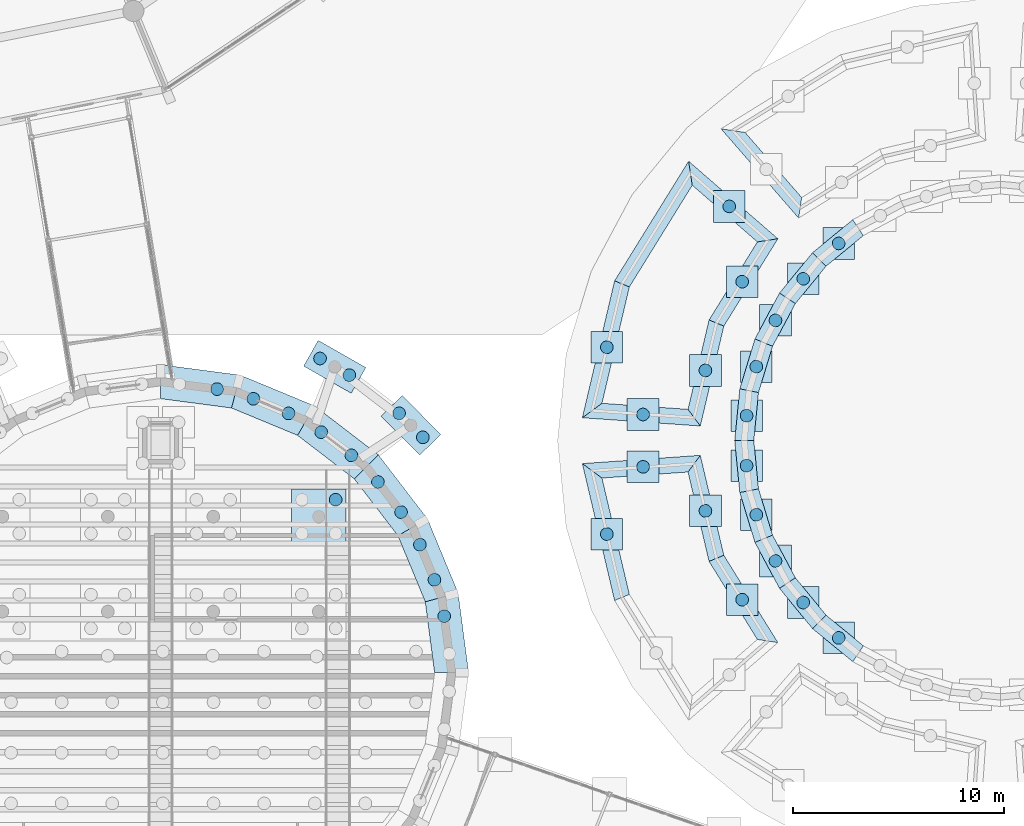
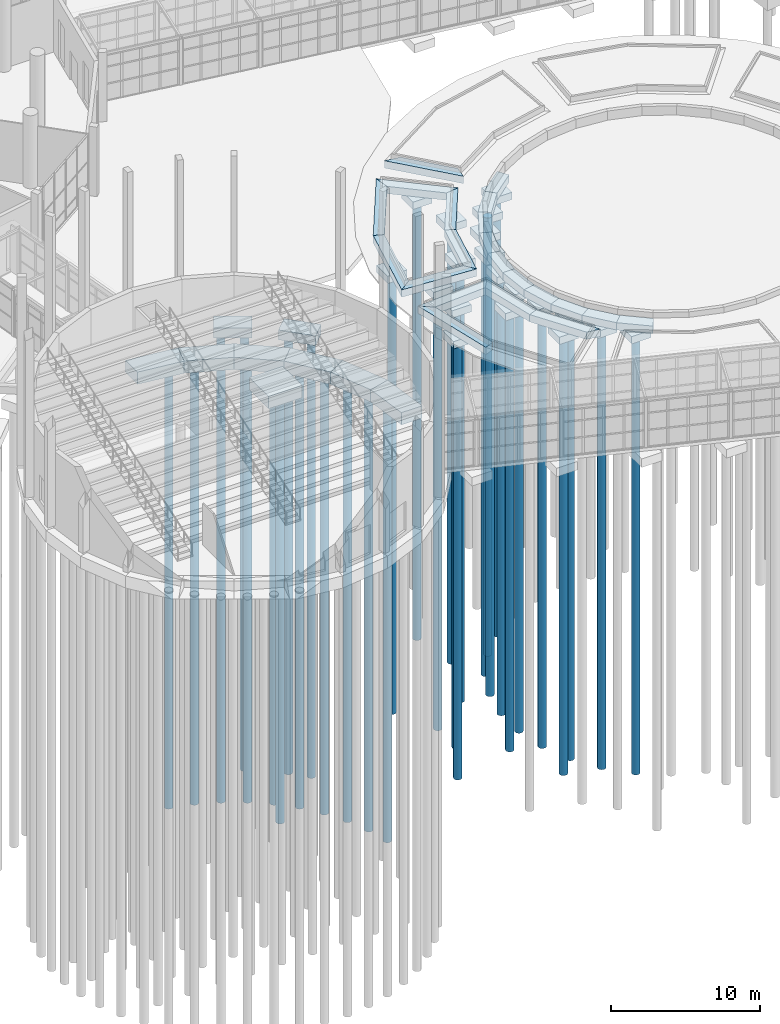
# One storey, part 4 of 226: 49 footings, 34 piles.
"""IFC4 building model written with IfcOpenShell, lengths in metres."""

from ifc_helpers import new_model, si_unit, direction, frame, origin, origin_2d, place, context, subcontext, project, spatial, polyline, circle, outline, extrude, material, layer, layer_set, material_profile, profile_set, type_object, element, save


model = new_model("IFC4")

# Units and contexts
model_context = context("Model", 3, precision=1e-05, world=origin(), true_north=direction((0.0, 1.0)))
body_context = subcontext(model_context, "Body", "Model", "MODEL_VIEW")
ifc_project = project(units=[si_unit("LENGTHUNIT", "METRE"), si_unit("AREAUNIT", "SQUARE_METRE"), si_unit("VOLUMEUNIT", "CUBIC_METRE"), si_unit("PLANEANGLEUNIT", "RADIAN"), si_unit("MASSUNIT", "GRAM", prefix="KILO")], contexts=[model_context])

# Site, building, storey
site_placement = place(None, origin())
site = spatial("IfcSite", under=ifc_project, at=site_placement, CompositionType="ELEMENT")
building_placement = place(site_placement, origin())
building = spatial("IfcBuilding", under=site, at=building_placement, Name="Ceibo Conservatory and Research Tower", CompositionType="ELEMENT")
storey_placement = place(building_placement, origin())
storey = spatial("IfcBuildingStorey", under=building, at=storey_placement, Name="L00", CompositionType="ELEMENT", Elevation=0.0)

# Piles
ifc_material_1 = material(Name="Concrete C35/45", Category="concrete")
ifc_material_profile = material_profile(ifc_material_1, circle(Radius=0.300048828125, at=origin_2d()), Name="RC D600")
ifc_profile_set = profile_set([ifc_material_profile], Name="Concrete C35/45")
pile_type = type_object("IfcPileType", Name="Bored pile D600", PredefinedType="BORED", material=ifc_profile_set)
for number, where, z_axis, x_axis, name in (
    (1, (69.625732421875, 74.678466796875, -1.199951171875), (0.0, 0.0, -1.0), (1.0, 0.0, 0.0), "Pile AUD.STRIP.F01 02"),
    (2, (69.16357421875, 76.4033203125, -1.199951171875), (0.0, 0.0, -1.0), (1.0, 0.0, 0.0), "Pile AUD.STRIP.F02 01"),
    (3, (68.474365234375, 78.067138671875, -1.199951171875), (0.0, 0.0, -1.0), (1.0, 0.0, 0.0), "Pile AUD.STRIP.F02 02"),
    (4, (67.58154296875, 79.613525390625, -1.199951171875), (0.0, 0.0, -1.0), (1.0, 0.0, 0.0), "Pile AUD.STRIP.F03 01"),
    (5, (66.485107421875, 81.04248046875, -1.199951171875), (0.0, 0.0, -1.0), (1.0, 0.0, 0.0), "Pile AUD.STRIP.F03 02"),
    (6, (65.222412109375, 82.30517578125, -1.199951171875), (0.0, 0.0, -1.0), (1.0, 0.0, 0.0), "Pile AUD.STRIP.F04 01"),
    (7, (63.793701171875, 83.4013671875, -1.199951171875), (0.0, 0.0, -1.0), (1.0, 0.0, 0.0), "Pile AUD.STRIP.F04 02"),
    (8, (62.247314453125, 84.294189453125, -1.199951171875), (0.0, 0.0, -1.0), (1.0, 0.0, 0.0), "Pile AUD.STRIP.F05 01"),
    (9, (60.583251953125, 84.9833984375, -1.199951171875), (0.0, 0.0, -1.0), (1.0, 0.0, 0.0), "Pile AUD.STRIP.F05 02"),
    (10, (58.858642578125, 85.445556640625, -1.199951171875), (0.0, 0.0, -1.0), (1.0, 0.0, 0.0), "Pile AUD.STRIP.F06 01"),
    (11, (64.47998046875, 80.199951171875, -1.199951171875), (0.0, 0.0, -1.0), (1.0, 0.0, 0.0), "Pile AUD.CAP.FF24 03"),
    (12, (68.612060546875, 83.158935546875, -0.699951171875), (0.0, 0.0, -1.0), (1.0, 0.0, 0.0), "Pile AUD.CNP.F04.CAP1 01"),
    (13, (67.487548828125, 84.297119140625, -0.699951171875), (0.0, 0.0, -1.0), (1.0, 0.0, 0.0), "Pile AUD.CNP.F04.CAP1 02"),
    (14, (65.131591796875, 86.104736328125, -0.699951171875), (0.0, 0.0, -1.0), (1.0, 0.0, 0.0), "Pile AUD.CNP.F04.CAP2 01"),
    (15, (63.740966796875, 86.896484375, -0.699951171875), (0.0, 0.0, -1.0), (1.0, 0.0, 0.0), "Pile AUD.CNP.F04.CAP2 02"),
    (16, (88.326171875, 92.3505859375, -1.550048828125), (0.0, 0.0, -1.0), (1.0, 0.0, 0.0), "Pile CARRY.SITE.STRIP.COURT.BASIN.KERB.F12 01"),
    (17, (86.6494140625, 90.673828125, -1.550048828125), (0.0, 0.0, -1.0), (1.0, 0.0, 0.0), "Pile CARRY.SITE.STRIP.COURT.BASIN.KERB.F13 01"),
    (18, (85.33203125, 88.7021484375, -1.550048828125), (0.0, 0.0, -1.0), (1.0, 0.0, 0.0), "Pile CARRY.SITE.STRIP.COURT.BASIN.KERB.F14 01"),
    (19, (84.424560546875, 86.511474609375, -1.550048828125), (0.0, 0.0, -1.0), (1.0, 0.0, 0.0), "Pile CARRY.SITE.STRIP.COURT.BASIN.KERB.F15 01"),
    (20, (83.9619140625, 84.185546875, -1.550048828125), (0.0, 0.0, -1.0), (1.0, 0.0, 0.0), "Pile CARRY.SITE.STRIP.COURT.BASIN.KERB.F16 01"),
    (21, (83.9619140625, 81.814453125, -1.550048828125), (0.0, 0.0, -1.0), (1.0, 0.0, 0.0), "Pile CARRY.SITE.STRIP.COURT.BASIN.KERB.F17 01"),
    (22, (84.424560546875, 79.488525390625, -1.550048828125), (0.0, 0.0, -1.0), (1.0, 0.0, 0.0), "Pile CARRY.SITE.STRIP.COURT.BASIN.KERB.F18 01"),
    (23, (85.33203125, 77.2978515625, -1.550048828125), (0.0, 0.0, -1.0), (1.0, 0.0, 0.0), "Pile CARRY.SITE.STRIP.COURT.BASIN.KERB.F19 01"),
    (24, (86.6494140625, 75.326171875, -1.550048828125), (0.0, 0.0, -1.0), (1.0, 0.0, 0.0), "Pile CARRY.SITE.STRIP.COURT.BASIN.KERB.F20 01"),
    (25, (88.326171875, 73.6494140625, -1.550048828125), (0.0, 0.0, -1.0), (1.0, 0.0, 0.0), "Pile CARRY.SITE.STRIP.COURT.BASIN.KERB.F21 01"),
    (26, (83.140380859375, 94.105224609375, -1.10009765625), (0.0, 0.0, -1.0), (1.0, 0.0, 0.0), "Pile CARRY.SITE.STRIP.COURT.PB4.KERB.F01 01"),
    (27, (77.336669921875, 87.428466796875, -1.10009765625), (0.0, 0.0, -1.0), (1.0, 0.0, 0.0), "Pile CARRY.SITE.STRIP.COURT.PB4.KERB.F03 01"),
    (28, (79.05419921875, 84.240478515625, -1.10009765625), (0.0, 0.0, -1.0), (1.0, 0.0, 0.0), "Pile CARRY.SITE.STRIP.COURT.PB4.KERB.F04 01"),
    (29, (82.01123046875, 86.329345703125, -1.10009765625), (0.0, 0.0, -1.0), (1.0, 0.0, 0.0), "Pile CARRY.SITE.STRIP.COURT.PB4.KERB.F05 01"),
    (30, (83.754150390625, 90.537353515625, -1.10009765625), (0.0, 0.0, -1.0), (1.0, 0.0, 0.0), "Pile CARRY.SITE.STRIP.COURT.PB4.KERB.F06 01"),
    (31, (79.05419921875, 81.759521484375, -1.10009765625), (0.0, 0.0, -1.0), (1.0, 0.0, 0.0), "Pile CARRY.SITE.STRIP.COURT.PB5.KERB.F01 01"),
    (32, (77.336669921875, 78.571533203125, -1.10009765625), (0.0, 0.0, -1.0), (1.0, 0.0, 0.0), "Pile CARRY.SITE.STRIP.COURT.PB5.KERB.F02 01"),
    (33, (83.754150390625, 75.462646484375, -1.10009765625), (0.0, 0.0, -1.0), (1.0, 0.0, 0.0), "Pile CARRY.SITE.STRIP.COURT.PB5.KERB.F05 01"),
    (34, (82.01123046875, 79.670654296875, -1.10009765625), (0.0, 0.0, -1.0), (1.0, 0.0, 0.0), "Pile CARRY.SITE.STRIP.COURT.PB5.KERB.F06 01"),
):
    element("IfcPile", number, at=place(storey_placement, frame(where, z_axis=z_axis, x_axis=x_axis)), inside=storey, type_object=pile_type, Name=name, PredefinedType="BORED", context=body_context, shape_type="SweptSolid", body=[
        extrude(circle(Radius=0.300048828125, at=origin_2d()), origin(), (0.0, 0.0, 1.0), 36.0),
    ])

# Footings
ifc_material_2 = material(Name="Concrete C40/50", Category="concrete")
ifc_layer_1 = layer(ifc_material_2, 0.60009765625)
ifc_layer_set_1 = layer_set([ifc_layer_1], Name="Concrete C40/50")
footing_type_1 = type_object("IfcFootingType", Name="Pile cap 1500x1500x600", PredefinedType="PILE_CAP", material=ifc_layer_set_1)
footing_1_placement = place(storey_placement, frame((0.0, 0.0, -1.64990234375)))
element("IfcFooting", 35, at=footing_1_placement, inside=storey, type_object=footing_type_1, Name="Pile cap CARRY.SITE.STRIP.COURT.BASIN.KERB.F12", PredefinedType="PILE_CAP", context=body_context, shape_type="SweptSolid", body=[
    extrude(outline(polyline([(89.076171875, 91.6005859375), (89.076171875, 93.1005859375), (87.576171875, 93.1005859375), (87.576171875, 91.6005859375), (89.076171875, 91.6005859375)])), origin(), (0.0, 0.0, 1.0), 0.599853515625),
])
footing_2_placement = place(storey_placement, frame((0.0, 0.0, -1.64990234375)))
element("IfcFooting", 36, at=footing_2_placement, inside=storey, type_object=footing_type_1, Name="Pile cap CARRY.SITE.STRIP.COURT.BASIN.KERB.F13", PredefinedType="PILE_CAP", context=body_context, shape_type="SweptSolid", body=[
    extrude(outline(polyline([(87.3994140625, 89.923828125), (87.3994140625, 91.423828125), (85.8994140625, 91.423828125), (85.8994140625, 89.923828125), (87.3994140625, 89.923828125)])), origin(), (0.0, 0.0, 1.0), 0.599853515625),
])
footing_3_placement = place(storey_placement, frame((0.0, 0.0, -1.64990234375)))
element("IfcFooting", 37, at=footing_3_placement, inside=storey, type_object=footing_type_1, Name="Pile cap CARRY.SITE.STRIP.COURT.BASIN.KERB.F14", PredefinedType="PILE_CAP", context=body_context, shape_type="SweptSolid", body=[
    extrude(outline(polyline([(86.08203125, 87.9521484375), (86.08203125, 89.4521484375), (84.58203125, 89.4521484375), (84.58203125, 87.9521484375), (86.08203125, 87.9521484375)])), origin(), (0.0, 0.0, 1.0), 0.599853515625),
])
footing_4_placement = place(storey_placement, frame((0.0, 0.0, -1.64990234375)))
element("IfcFooting", 38, at=footing_4_placement, inside=storey, type_object=footing_type_1, Name="Pile cap CARRY.SITE.STRIP.COURT.BASIN.KERB.F15", PredefinedType="PILE_CAP", context=body_context, shape_type="SweptSolid", body=[
    extrude(outline(polyline([(85.174560546875, 85.761474609375), (85.174560546875, 87.261474609375), (83.674560546875, 87.261474609375), (83.674560546875, 85.761474609375), (85.174560546875, 85.761474609375)])), origin(), (0.0, 0.0, 1.0), 0.599853515625),
])
footing_5_placement = place(storey_placement, frame((0.0, 0.0, -1.64990234375)))
element("IfcFooting", 39, at=footing_5_placement, inside=storey, type_object=footing_type_1, Name="Pile cap CARRY.SITE.STRIP.COURT.BASIN.KERB.F16", PredefinedType="PILE_CAP", context=body_context, shape_type="SweptSolid", body=[
    extrude(outline(polyline([(84.7119140625, 83.435546875), (84.7119140625, 84.935546875), (83.2119140625, 84.935546875), (83.2119140625, 83.435546875), (84.7119140625, 83.435546875)])), origin(), (0.0, 0.0, 1.0), 0.599853515625),
])
footing_6_placement = place(storey_placement, frame((0.0, 0.0, -1.64990234375)))
element("IfcFooting", 40, at=footing_6_placement, inside=storey, type_object=footing_type_1, Name="Pile cap CARRY.SITE.STRIP.COURT.BASIN.KERB.F17", PredefinedType="PILE_CAP", context=body_context, shape_type="SweptSolid", body=[
    extrude(outline(polyline([(84.7119140625, 81.064453125), (84.7119140625, 82.564453125), (83.2119140625, 82.564453125), (83.2119140625, 81.064453125), (84.7119140625, 81.064453125)])), origin(), (0.0, 0.0, 1.0), 0.599853515625),
])
footing_7_placement = place(storey_placement, frame((0.0, 0.0, -1.64990234375)))
element("IfcFooting", 41, at=footing_7_placement, inside=storey, type_object=footing_type_1, Name="Pile cap CARRY.SITE.STRIP.COURT.BASIN.KERB.F18", PredefinedType="PILE_CAP", context=body_context, shape_type="SweptSolid", body=[
    extrude(outline(polyline([(85.174560546875, 78.738525390625), (85.174560546875, 80.238525390625), (83.674560546875, 80.238525390625), (83.674560546875, 78.738525390625), (85.174560546875, 78.738525390625)])), origin(), (0.0, 0.0, 1.0), 0.599853515625),
])
footing_8_placement = place(storey_placement, frame((0.0, 0.0, -1.64990234375)))
element("IfcFooting", 42, at=footing_8_placement, inside=storey, type_object=footing_type_1, Name="Pile cap CARRY.SITE.STRIP.COURT.BASIN.KERB.F19", PredefinedType="PILE_CAP", context=body_context, shape_type="SweptSolid", body=[
    extrude(outline(polyline([(86.08203125, 76.5478515625), (86.08203125, 78.0478515625), (84.58203125, 78.0478515625), (84.58203125, 76.5478515625), (86.08203125, 76.5478515625)])), origin(), (0.0, 0.0, 1.0), 0.599853515625),
])
footing_9_placement = place(storey_placement, frame((0.0, 0.0, -1.64990234375)))
element("IfcFooting", 43, at=footing_9_placement, inside=storey, type_object=footing_type_1, Name="Pile cap CARRY.SITE.STRIP.COURT.BASIN.KERB.F20", PredefinedType="PILE_CAP", context=body_context, shape_type="SweptSolid", body=[
    extrude(outline(polyline([(87.3994140625, 74.576171875), (87.3994140625, 76.076171875), (85.8994140625, 76.076171875), (85.8994140625, 74.576171875), (87.3994140625, 74.576171875)])), origin(), (0.0, 0.0, 1.0), 0.599853515625),
])
footing_10_placement = place(storey_placement, frame((0.0, 0.0, -1.64990234375)))
element("IfcFooting", 44, at=footing_10_placement, inside=storey, type_object=footing_type_1, Name="Pile cap CARRY.SITE.STRIP.COURT.BASIN.KERB.F21", PredefinedType="PILE_CAP", context=body_context, shape_type="SweptSolid", body=[
    extrude(outline(polyline([(89.076171875, 72.8994140625), (89.076171875, 74.3994140625), (87.576171875, 74.3994140625), (87.576171875, 72.8994140625), (89.076171875, 72.8994140625)])), origin(), (0.0, 0.0, 1.0), 0.599853515625),
])
footing_11_placement = place(storey_placement, frame((0.0, 0.0, -1.199951171875)))
element("IfcFooting", 45, at=footing_11_placement, inside=storey, type_object=footing_type_1, Name="Pile cap CARRY.SITE.STRIP.COURT.PB4.KERB.F01", PredefinedType="PILE_CAP", context=body_context, shape_type="SweptSolid", body=[
    extrude(outline(polyline([(83.890380859375, 93.355224609375), (83.890380859375, 94.855224609375), (82.390380859375, 94.855224609375), (82.390380859375, 93.355224609375), (83.890380859375, 93.355224609375)])), origin(), (0.0, 0.0, 1.0), 0.599853515625),
])
footing_12_placement = place(storey_placement, frame((0.0, 0.0, -1.199951171875)))
element("IfcFooting", 46, at=footing_12_placement, inside=storey, type_object=footing_type_1, Name="Pile cap CARRY.SITE.STRIP.COURT.PB4.KERB.F03", PredefinedType="PILE_CAP", context=body_context, shape_type="SweptSolid", body=[
    extrude(outline(polyline([(78.086669921875, 86.678466796875), (78.086669921875, 88.178466796875), (76.586669921875, 88.178466796875), (76.586669921875, 86.678466796875), (78.086669921875, 86.678466796875)])), origin(), (0.0, 0.0, 1.0), 0.599853515625),
])
footing_13_placement = place(storey_placement, frame((0.0, 0.0, -1.199951171875)))
element("IfcFooting", 47, at=footing_13_placement, inside=storey, type_object=footing_type_1, Name="Pile cap CARRY.SITE.STRIP.COURT.PB4.KERB.F04", PredefinedType="PILE_CAP", context=body_context, shape_type="SweptSolid", body=[
    extrude(outline(polyline([(79.80419921875, 83.490478515625), (79.80419921875, 84.990478515625), (78.30419921875, 84.990478515625), (78.30419921875, 83.490478515625), (79.80419921875, 83.490478515625)])), origin(), (0.0, 0.0, 1.0), 0.599853515625),
])
footing_14_placement = place(storey_placement, frame((0.0, 0.0, -1.199951171875)))
element("IfcFooting", 48, at=footing_14_placement, inside=storey, type_object=footing_type_1, Name="Pile cap CARRY.SITE.STRIP.COURT.PB4.KERB.F05", PredefinedType="PILE_CAP", context=body_context, shape_type="SweptSolid", body=[
    extrude(outline(polyline([(82.76123046875, 85.579345703125), (82.76123046875, 87.079345703125), (81.26123046875, 87.079345703125), (81.26123046875, 85.579345703125), (82.76123046875, 85.579345703125)])), origin(), (0.0, 0.0, 1.0), 0.599853515625),
])
footing_15_placement = place(storey_placement, frame((0.0, 0.0, -1.199951171875)))
element("IfcFooting", 49, at=footing_15_placement, inside=storey, type_object=footing_type_1, Name="Pile cap CARRY.SITE.STRIP.COURT.PB4.KERB.F06", PredefinedType="PILE_CAP", context=body_context, shape_type="SweptSolid", body=[
    extrude(outline(polyline([(84.504150390625, 89.787353515625), (84.504150390625, 91.287353515625), (83.004150390625, 91.287353515625), (83.004150390625, 89.787353515625), (84.504150390625, 89.787353515625)])), origin(), (0.0, 0.0, 1.0), 0.599853515625),
])
footing_16_placement = place(storey_placement, frame((0.0, 0.0, -1.199951171875)))
element("IfcFooting", 50, at=footing_16_placement, inside=storey, type_object=footing_type_1, Name="Pile cap CARRY.SITE.STRIP.COURT.PB5.KERB.F01", PredefinedType="PILE_CAP", context=body_context, shape_type="SweptSolid", body=[
    extrude(outline(polyline([(79.80419921875, 81.009521484375), (79.80419921875, 82.509521484375), (78.30419921875, 82.509521484375), (78.30419921875, 81.009521484375), (79.80419921875, 81.009521484375)])), origin(), (0.0, 0.0, 1.0), 0.599853515625),
])
footing_17_placement = place(storey_placement, frame((0.0, 0.0, -1.199951171875)))
element("IfcFooting", 51, at=footing_17_placement, inside=storey, type_object=footing_type_1, Name="Pile cap CARRY.SITE.STRIP.COURT.PB5.KERB.F02", PredefinedType="PILE_CAP", context=body_context, shape_type="SweptSolid", body=[
    extrude(outline(polyline([(78.086669921875, 77.821533203125), (78.086669921875, 79.321533203125), (76.586669921875, 79.321533203125), (76.586669921875, 77.821533203125), (78.086669921875, 77.821533203125)])), origin(), (0.0, 0.0, 1.0), 0.599853515625),
])
footing_18_placement = place(storey_placement, frame((0.0, 0.0, -1.199951171875)))
element("IfcFooting", 52, at=footing_18_placement, inside=storey, type_object=footing_type_1, Name="Pile cap CARRY.SITE.STRIP.COURT.PB5.KERB.F05", PredefinedType="PILE_CAP", context=body_context, shape_type="SweptSolid", body=[
    extrude(outline(polyline([(84.504150390625, 74.712646484375), (84.504150390625, 76.212646484375), (83.004150390625, 76.212646484375), (83.004150390625, 74.712646484375), (84.504150390625, 74.712646484375)])), origin(), (0.0, 0.0, 1.0), 0.599853515625),
])
footing_19_placement = place(storey_placement, frame((0.0, 0.0, -1.199951171875)))
element("IfcFooting", 53, at=footing_19_placement, inside=storey, type_object=footing_type_1, Name="Pile cap CARRY.SITE.STRIP.COURT.PB5.KERB.F06", PredefinedType="PILE_CAP", context=body_context, shape_type="SweptSolid", body=[
    extrude(outline(polyline([(82.76123046875, 78.920654296875), (82.76123046875, 80.420654296875), (81.26123046875, 80.420654296875), (81.26123046875, 78.920654296875), (82.76123046875, 78.920654296875)])), origin(), (0.0, 0.0, 1.0), 0.599853515625),
])
ifc_layer_2 = layer(ifc_material_2, 0.800048828125)
ifc_layer_set_2 = layer_set([ifc_layer_2], Name="Concrete C40/50")
footing_type_2 = type_object("IfcFootingType", Name="Pile cap 2600x1400x800", PredefinedType="PILE_CAP", material=ifc_layer_set_2)
for number, where, z_axis, x_axis, name in (
    (54, (69.46142578125, 83.295166015625, -0.800048828125), (0.0, 0.0, 1.0), (-0.702845555622, 0.711342480766, 0.0), "Pile cap AUD.CNP.F04.CAP1"),
    (55, (65.912353515625, 86.4658203125, -0.800048828125), (0.0, 0.0, 1.0), (-0.869013878626, 0.494787710796, 0.0), "Pile cap AUD.CNP.F04.CAP2"),
):
    element("IfcFooting", number, at=place(storey_placement, frame(where, z_axis=z_axis, x_axis=x_axis)), inside=storey, type_object=footing_type_2, Name=name, PredefinedType="PILE_CAP", context=body_context, shape_type="SweptSolid", body=[
        extrude(outline(polyline([(0.0, 0.0), (2.60009765625, 0.0), (2.60009765625, 1.39990234375), (0.0, 1.39990234375), (0.0, 0.0)])), origin(), (0.0, 0.0, 1.0), 0.800048828125),
    ])
ifc_layer_3 = layer(ifc_material_2, 1.0)
ifc_layer_set_3 = layer_set([ifc_layer_3], Name="Concrete C40/50")
footing_type_3 = type_object("IfcFootingType", Name="Pile cap 2600x2600x1000", PredefinedType="PILE_CAP", material=ifc_layer_set_3)
footing_20_placement = place(storey_placement, frame((0.0, 0.0, -1.300048828125)))
element("IfcFooting", 56, at=footing_20_placement, inside=storey, type_object=footing_type_3, Name="Pile cap AUD.CAP.FF24", PredefinedType="PILE_CAP", context=body_context, shape_type="SweptSolid", body=[
    extrude(outline(polyline([(62.380126953125, 78.10009765625), (64.97998046875, 78.10009765625), (64.97998046875, 80.699951171875), (62.380126953125, 80.699951171875), (62.380126953125, 78.10009765625)])), origin(), (0.0, 0.0, 1.0), 1.0),
])
ifc_layer_4 = layer(ifc_material_2, 1.0)
ifc_layer_set_4 = layer_set([ifc_layer_4], Name="Concrete C40/50")
footing_type_4 = type_object("IfcFootingType", Name="Strip cap 1600x1000", PredefinedType="STRIP_FOOTING", material=ifc_layer_set_4)
footing_21_placement = place(storey_placement, frame((0.0, 0.0, -1.300048828125)))
element("IfcFooting", 57, at=footing_21_placement, inside=storey, type_object=footing_type_4, Name="Strip cap AUD.STRIP.F01", PredefinedType="STRIP_FOOTING", context=body_context, shape_type="SweptSolid", body=[
    extrude(outline(polyline([(70.78515625, 72.0), (70.28759765625, 75.780029296875), (68.728759765625, 75.3623046875), (69.17138671875, 72.0), (70.78515625, 72.0)])), origin(), (0.0, 0.0, 1.0), 1.0),
])
footing_22_placement = place(storey_placement, frame((0.0, 0.0, -1.300048828125)))
element("IfcFooting", 58, at=footing_22_placement, inside=storey, type_object=footing_type_4, Name="Strip cap AUD.STRIP.F02", PredefinedType="STRIP_FOOTING", context=body_context, shape_type="SweptSolid", body=[
    extrude(outline(polyline([(70.28759765625, 75.780029296875), (68.82861328125, 79.302490234375), (67.430908203125, 78.49560546875), (68.728759765625, 75.3623046875), (70.28759765625, 75.780029296875)])), origin(), (0.0, 0.0, 1.0), 1.0),
])
footing_23_placement = place(storey_placement, frame((0.0, 0.0, -1.300048828125)))
element("IfcFooting", 59, at=footing_23_placement, inside=storey, type_object=footing_type_4, Name="Strip cap AUD.STRIP.F03", PredefinedType="STRIP_FOOTING", context=body_context, shape_type="SweptSolid", body=[
    extrude(outline(polyline([(68.82861328125, 79.302490234375), (66.507568359375, 82.327392578125), (65.366455078125, 81.186279296875), (67.430908203125, 78.49560546875), (68.82861328125, 79.302490234375)])), origin(), (0.0, 0.0, 1.0), 1.0),
])
footing_24_placement = place(storey_placement, frame((0.0, 0.0, -1.300048828125)))
element("IfcFooting", 60, at=footing_24_placement, inside=storey, type_object=footing_type_4, Name="Strip cap AUD.STRIP.F04", PredefinedType="STRIP_FOOTING", context=body_context, shape_type="SweptSolid", body=[
    extrude(outline(polyline([(66.507568359375, 82.327392578125), (63.482666015625, 84.6484375), (62.67578125, 83.2509765625), (65.366455078125, 81.186279296875), (66.507568359375, 82.327392578125)])), origin(), (0.0, 0.0, 1.0), 1.0),
])
footing_25_placement = place(storey_placement, frame((0.0, 0.0, -1.300048828125)))
element("IfcFooting", 61, at=footing_25_placement, inside=storey, type_object=footing_type_4, Name="Strip cap AUD.STRIP.F05", PredefinedType="STRIP_FOOTING", context=body_context, shape_type="SweptSolid", body=[
    extrude(outline(polyline([(63.482666015625, 84.6484375), (59.960205078125, 86.107421875), (59.54248046875, 84.548583984375), (62.67578125, 83.2509765625), (63.482666015625, 84.6484375)])), origin(), (0.0, 0.0, 1.0), 1.0),
])
footing_26_placement = place(storey_placement, frame((0.0, 0.0, -1.300048828125)))
element("IfcFooting", 62, at=footing_26_placement, inside=storey, type_object=footing_type_4, Name="Strip cap AUD.STRIP.F06", PredefinedType="STRIP_FOOTING", context=body_context, shape_type="SweptSolid", body=[
    extrude(outline(polyline([(59.960205078125, 86.107421875), (56.18017578125, 86.605224609375), (56.18017578125, 84.991455078125), (59.54248046875, 84.548583984375), (59.960205078125, 86.107421875)])), origin(), (0.0, 0.0, 1.0), 1.0),
])
ifc_layer_5 = layer(ifc_material_2, 0.60009765625)
ifc_layer_set_5 = layer_set([ifc_layer_5], Name="Concrete C40/50")
footing_type_5 = type_object("IfcFootingType", Name="Strip footing 750x600", PredefinedType="STRIP_FOOTING", material=ifc_layer_set_5)
footing_27_placement = place(storey_placement, frame((0.0, 0.0, -0.60009765625)))
element("IfcFooting", 63, at=footing_27_placement, inside=storey, type_object=footing_type_5, Name="Strip footing SITE.STRIP.COURT.PB3.KERB.F04", PredefinedType="STRIP_FOOTING", context=body_context, shape_type="SweptSolid", body=[
    extrude(outline(polyline([(82.7490234375, 97.786376953125), (86.427978515625, 93.553955078125), (86.57568359375, 94.52734375), (83.8935546875, 97.612548828125), (82.7490234375, 97.786376953125)])), origin(), (0.0, 0.0, 1.0), 0.60009765625),
])
footing_28_placement = place(storey_placement, frame((0.0, 0.0, -0.60009765625)))
element("IfcFooting", 64, at=footing_28_placement, inside=storey, type_object=footing_type_5, Name="Strip footing SITE.STRIP.COURT.PB4.KERB.F01", PredefinedType="STRIP_FOOTING", context=body_context, shape_type="SweptSolid", body=[
    extrude(outline(polyline([(85.446044921875, 92.572021484375), (81.213623046875, 96.2509765625), (81.387451171875, 95.1064453125), (84.47265625, 92.42431640625), (85.446044921875, 92.572021484375)])), origin(), (0.0, 0.0, 1.0), 0.60009765625),
])
footing_29_placement = place(storey_placement, frame((0.0, 0.0, -0.60009765625)))
element("IfcFooting", 65, at=footing_29_placement, inside=storey, type_object=footing_type_5, Name="Strip footing SITE.STRIP.COURT.PB4.KERB.F02", PredefinedType="STRIP_FOOTING", context=body_context, shape_type="SweptSolid", body=[
    extrude(outline(polyline([(81.213623046875, 96.2509765625), (77.70361328125, 90.57861328125), (78.405517578125, 90.287841796875), (81.387451171875, 95.1064453125), (81.213623046875, 96.2509765625)])), origin(), (0.0, 0.0, 1.0), 0.60009765625),
])
footing_30_placement = place(storey_placement, frame((0.0, 0.0, -0.60009765625)))
element("IfcFooting", 66, at=footing_30_placement, inside=storey, type_object=footing_type_5, Name="Strip footing SITE.STRIP.COURT.PB4.KERB.F03", PredefinedType="STRIP_FOOTING", context=body_context, shape_type="SweptSolid", body=[
    extrude(outline(polyline([(77.70361328125, 90.57861328125), (76.174560546875, 84.085693359375), (77.10693359375, 84.772216796875), (78.405517578125, 90.287841796875), (77.70361328125, 90.57861328125)])), origin(), (0.0, 0.0, 1.0), 0.60009765625),
])
footing_31_placement = place(storey_placement, frame((0.0, 0.0, -0.60009765625)))
element("IfcFooting", 67, at=footing_31_placement, inside=storey, type_object=footing_type_5, Name="Strip footing SITE.STRIP.COURT.PB4.KERB.F04", PredefinedType="STRIP_FOOTING", context=body_context, shape_type="SweptSolid", body=[
    extrude(outline(polyline([(76.174560546875, 84.085693359375), (81.768798828125, 83.6943359375), (81.18505859375, 84.487060546875), (77.10693359375, 84.772216796875), (76.174560546875, 84.085693359375)])), origin(), (0.0, 0.0, 1.0), 0.60009765625),
])
footing_32_placement = place(storey_placement, frame((0.0, 0.0, -0.60009765625)))
element("IfcFooting", 68, at=footing_32_placement, inside=storey, type_object=footing_type_5, Name="Strip footing SITE.STRIP.COURT.PB4.KERB.F05", PredefinedType="STRIP_FOOTING", context=body_context, shape_type="SweptSolid", body=[
    extrude(outline(polyline([(81.768798828125, 83.6943359375), (82.884521484375, 88.4326171875), (82.1826171875, 88.723388671875), (81.18505859375, 84.487060546875), (81.768798828125, 83.6943359375)])), origin(), (0.0, 0.0, 1.0), 0.60009765625),
])
footing_33_placement = place(storey_placement, frame((0.0, 0.0, -0.60009765625)))
element("IfcFooting", 69, at=footing_33_placement, inside=storey, type_object=footing_type_5, Name="Strip footing SITE.STRIP.COURT.PB4.KERB.F06", PredefinedType="STRIP_FOOTING", context=body_context, shape_type="SweptSolid", body=[
    extrude(outline(polyline([(82.884521484375, 88.4326171875), (85.446044921875, 92.572021484375), (84.47265625, 92.42431640625), (82.1826171875, 88.723388671875), (82.884521484375, 88.4326171875)])), origin(), (0.0, 0.0, 1.0), 0.60009765625),
])
footing_34_placement = place(storey_placement, frame((0.0, 0.0, -0.60009765625)))
element("IfcFooting", 70, at=footing_34_placement, inside=storey, type_object=footing_type_5, Name="Strip footing SITE.STRIP.COURT.PB5.KERB.F01", PredefinedType="STRIP_FOOTING", context=body_context, shape_type="SweptSolid", body=[
    extrude(outline(polyline([(81.768798828125, 82.3056640625), (76.174560546875, 81.914306640625), (77.10693359375, 81.227783203125), (81.18505859375, 81.512939453125), (81.768798828125, 82.3056640625)])), origin(), (0.0, 0.0, 1.0), 0.60009765625),
])
footing_35_placement = place(storey_placement, frame((0.0, 0.0, -0.60009765625)))
element("IfcFooting", 71, at=footing_35_placement, inside=storey, type_object=footing_type_5, Name="Strip footing SITE.STRIP.COURT.PB5.KERB.F02", PredefinedType="STRIP_FOOTING", context=body_context, shape_type="SweptSolid", body=[
    extrude(outline(polyline([(76.174560546875, 81.914306640625), (77.70361328125, 75.42138671875), (78.405517578125, 75.712158203125), (77.10693359375, 81.227783203125), (76.174560546875, 81.914306640625)])), origin(), (0.0, 0.0, 1.0), 0.60009765625),
])
footing_36_placement = place(storey_placement, frame((0.0, 0.0, -0.60009765625)))
element("IfcFooting", 72, at=footing_36_placement, inside=storey, type_object=footing_type_5, Name="Strip footing SITE.STRIP.COURT.PB5.KERB.F05", PredefinedType="STRIP_FOOTING", context=body_context, shape_type="SweptSolid", body=[
    extrude(outline(polyline([(85.446044921875, 73.427978515625), (82.884521484375, 77.5673828125), (82.1826171875, 77.276611328125), (84.47265625, 73.57568359375), (85.446044921875, 73.427978515625)])), origin(), (0.0, 0.0, 1.0), 0.60009765625),
])
footing_37_placement = place(storey_placement, frame((0.0, 0.0, -0.60009765625)))
element("IfcFooting", 73, at=footing_37_placement, inside=storey, type_object=footing_type_5, Name="Strip footing SITE.STRIP.COURT.PB5.KERB.F06", PredefinedType="STRIP_FOOTING", context=body_context, shape_type="SweptSolid", body=[
    extrude(outline(polyline([(82.884521484375, 77.5673828125), (81.768798828125, 82.3056640625), (81.18505859375, 81.512939453125), (82.1826171875, 77.276611328125), (82.884521484375, 77.5673828125)])), origin(), (0.0, 0.0, 1.0), 0.60009765625),
])
ifc_layer_6 = layer(ifc_material_2, 0.60009765625)
ifc_layer_set_6 = layer_set([ifc_layer_6], Name="Concrete C40/50")
footing_type_6 = type_object("IfcFootingType", Name="Strip footing 900x600", PredefinedType="STRIP_FOOTING", material=ifc_layer_set_6)
footing_38_placement = place(storey_placement, frame((0.0, 0.0, -1.050048828125)))
element("IfcFooting", 74, at=footing_38_placement, inside=storey, type_object=footing_type_6, Name="Strip footing SITE.STRIP.COURT.BASIN.KERB.F12", PredefinedType="STRIP_FOOTING", context=body_context, shape_type="SweptSolid", body=[
    extrude(outline(polyline([(88.9990234375, 93.477783203125), (87.08935546875, 91.91064453125), (87.72900390625, 91.27099609375), (89.50146484375, 92.725830078125), (88.9990234375, 93.477783203125)])), origin(), (0.0, 0.0, 1.0), 0.60009765625),
])
footing_39_placement = place(storey_placement, frame((0.0, 0.0, -1.050048828125)))
element("IfcFooting", 75, at=footing_39_placement, inside=storey, type_object=footing_type_6, Name="Strip footing SITE.STRIP.COURT.BASIN.KERB.F13", PredefinedType="STRIP_FOOTING", context=body_context, shape_type="SweptSolid", body=[
    extrude(outline(polyline([(87.08935546875, 91.91064453125), (85.522216796875, 90.0009765625), (86.274169921875, 89.49853515625), (87.72900390625, 91.27099609375), (87.08935546875, 91.91064453125)])), origin(), (0.0, 0.0, 1.0), 0.60009765625),
])
footing_40_placement = place(storey_placement, frame((0.0, 0.0, -1.050048828125)))
element("IfcFooting", 76, at=footing_40_placement, inside=storey, type_object=footing_type_6, Name="Strip footing SITE.STRIP.COURT.BASIN.KERB.F14", PredefinedType="STRIP_FOOTING", context=body_context, shape_type="SweptSolid", body=[
    extrude(outline(polyline([(85.522216796875, 90.0009765625), (84.357666015625, 87.822265625), (85.193359375, 87.476318359375), (86.274169921875, 89.49853515625), (85.522216796875, 90.0009765625)])), origin(), (0.0, 0.0, 1.0), 0.60009765625),
])
footing_41_placement = place(storey_placement, frame((0.0, 0.0, -1.050048828125)))
element("IfcFooting", 77, at=footing_41_placement, inside=storey, type_object=footing_type_6, Name="Strip footing SITE.STRIP.COURT.BASIN.KERB.F15", PredefinedType="STRIP_FOOTING", context=body_context, shape_type="SweptSolid", body=[
    extrude(outline(polyline([(84.357666015625, 87.822265625), (83.640625, 85.45849609375), (84.527587890625, 85.281982421875), (85.193359375, 87.476318359375), (84.357666015625, 87.822265625)])), origin(), (0.0, 0.0, 1.0), 0.60009765625),
])
footing_42_placement = place(storey_placement, frame((0.0, 0.0, -1.050048828125)))
element("IfcFooting", 78, at=footing_42_placement, inside=storey, type_object=footing_type_6, Name="Strip footing SITE.STRIP.COURT.BASIN.KERB.F16", PredefinedType="STRIP_FOOTING", context=body_context, shape_type="SweptSolid", body=[
    extrude(outline(polyline([(83.640625, 85.45849609375), (83.3984375, 83.0), (84.302978515625, 83.0), (84.527587890625, 85.281982421875), (83.640625, 85.45849609375)])), origin(), (0.0, 0.0, 1.0), 0.60009765625),
])
footing_43_placement = place(storey_placement, frame((0.0, 0.0, -1.050048828125)))
element("IfcFooting", 79, at=footing_43_placement, inside=storey, type_object=footing_type_6, Name="Strip footing SITE.STRIP.COURT.BASIN.KERB.F17", PredefinedType="STRIP_FOOTING", context=body_context, shape_type="SweptSolid", body=[
    extrude(outline(polyline([(83.3984375, 83.0), (83.640625, 80.54150390625), (84.527587890625, 80.718017578125), (84.302978515625, 83.0), (83.3984375, 83.0)])), origin(), (0.0, 0.0, 1.0), 0.60009765625),
])
footing_44_placement = place(storey_placement, frame((0.0, 0.0, -1.050048828125)))
element("IfcFooting", 80, at=footing_44_placement, inside=storey, type_object=footing_type_6, Name="Strip footing SITE.STRIP.COURT.BASIN.KERB.F18", PredefinedType="STRIP_FOOTING", context=body_context, shape_type="SweptSolid", body=[
    extrude(outline(polyline([(83.640625, 80.54150390625), (84.357666015625, 78.177734375), (85.193359375, 78.523681640625), (84.527587890625, 80.718017578125), (83.640625, 80.54150390625)])), origin(), (0.0, 0.0, 1.0), 0.60009765625),
])
footing_45_placement = place(storey_placement, frame((0.0, 0.0, -1.050048828125)))
element("IfcFooting", 81, at=footing_45_placement, inside=storey, type_object=footing_type_6, Name="Strip footing SITE.STRIP.COURT.BASIN.KERB.F19", PredefinedType="STRIP_FOOTING", context=body_context, shape_type="SweptSolid", body=[
    extrude(outline(polyline([(84.357666015625, 78.177734375), (85.522216796875, 75.9990234375), (86.274169921875, 76.50146484375), (85.193359375, 78.523681640625), (84.357666015625, 78.177734375)])), origin(), (0.0, 0.0, 1.0), 0.60009765625),
])
footing_46_placement = place(storey_placement, frame((0.0, 0.0, -1.050048828125)))
element("IfcFooting", 82, at=footing_46_placement, inside=storey, type_object=footing_type_6, Name="Strip footing SITE.STRIP.COURT.BASIN.KERB.F20", PredefinedType="STRIP_FOOTING", context=body_context, shape_type="SweptSolid", body=[
    extrude(outline(polyline([(85.522216796875, 75.9990234375), (87.08935546875, 74.08935546875), (87.72900390625, 74.72900390625), (86.274169921875, 76.50146484375), (85.522216796875, 75.9990234375)])), origin(), (0.0, 0.0, 1.0), 0.60009765625),
])
footing_47_placement = place(storey_placement, frame((0.0, 0.0, -1.050048828125)))
element("IfcFooting", 83, at=footing_47_placement, inside=storey, type_object=footing_type_6, Name="Strip footing SITE.STRIP.COURT.BASIN.KERB.F21", PredefinedType="STRIP_FOOTING", context=body_context, shape_type="SweptSolid", body=[
    extrude(outline(polyline([(87.08935546875, 74.08935546875), (88.9990234375, 72.522216796875), (89.50146484375, 73.274169921875), (87.72900390625, 74.72900390625), (87.08935546875, 74.08935546875)])), origin(), (0.0, 0.0, 1.0), 0.60009765625),
])

save(model, "model.ifc")
